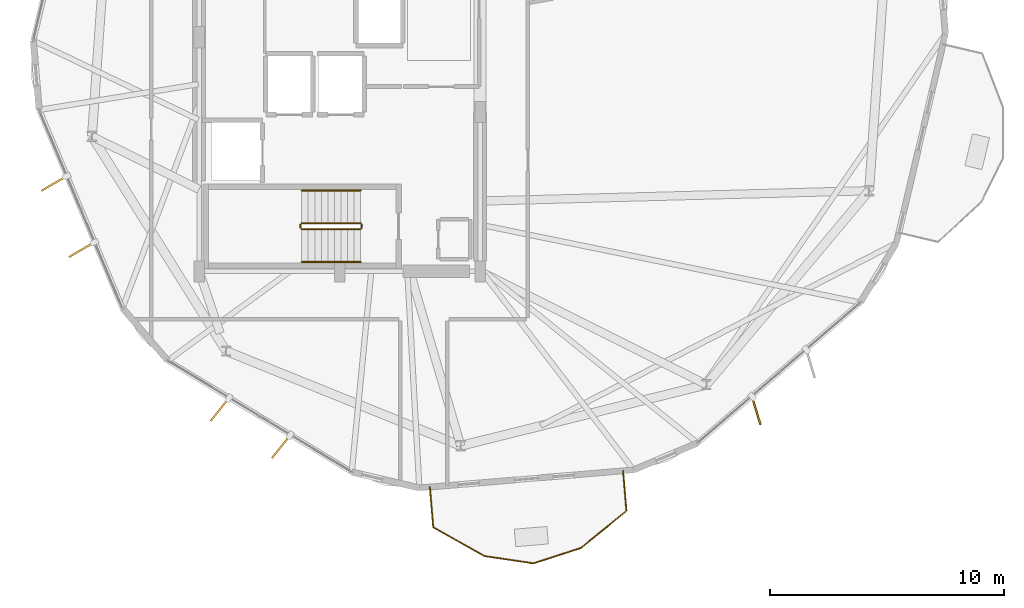
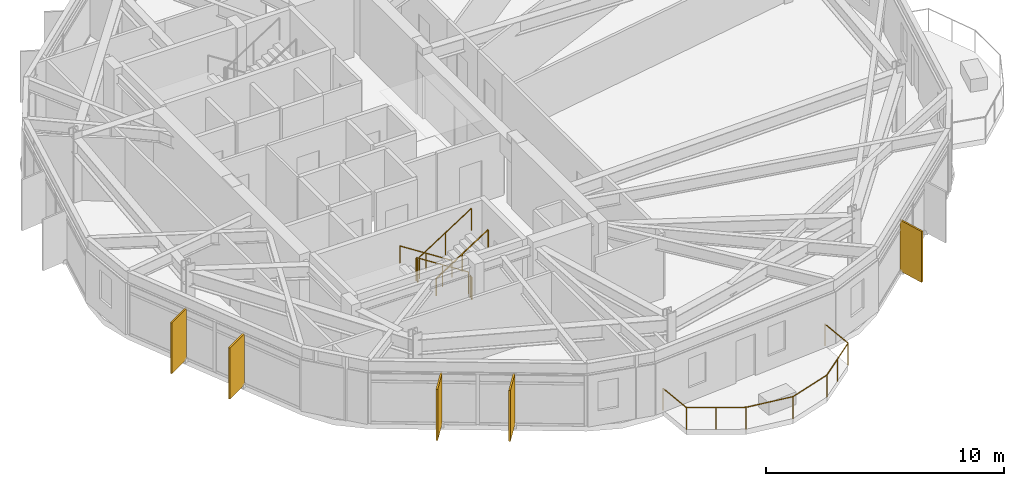
# One storey, part 25 of 27: 7 railings, 5 shading devices.
"""IFC4 building model written with IfcOpenShell, lengths in metres."""

from ifc_helpers import new_model, si_unit, direction, frame, origin, origin_2d, place, context, subcontext, project, spatial, rectangle, circle, extrude, material, layer, layer_set, type_object, element, save


model = new_model("IFC4")

# Units and contexts
model_context = context("Model", 3, precision=1e-05, world=origin(), true_north=direction((0.0, 1.0)))
body_context = subcontext(model_context, "Body", "Model", "MODEL_VIEW")
ifc_project = project(units=[si_unit("LENGTHUNIT", "METRE"), si_unit("AREAUNIT", "SQUARE_METRE"), si_unit("VOLUMEUNIT", "CUBIC_METRE"), si_unit("PLANEANGLEUNIT", "RADIAN"), si_unit("MASSUNIT", "GRAM", prefix="KILO")], contexts=[model_context])

# Site, building, storey
site_placement = place(None, origin())
site = spatial("IfcSite", under=ifc_project, at=site_placement, CompositionType="ELEMENT")
building_placement = place(site_placement, origin())
building = spatial("IfcBuilding", under=site, at=building_placement, Name="Soratama Intermodal Tower", CompositionType="ELEMENT")
storey_placement = place(building_placement, frame((0.0, 0.0, 182.199951171875)))
storey = spatial("IfcBuildingStorey", under=building, at=storey_placement, Name="L45", CompositionType="ELEMENT", Elevation=182.199951171875)

# Railings
ifc_material_1 = material(Name="Laminated glass and stainless steel balustrade", Category="steel")
railing_type_1 = type_object("IfcRailingType", Name="RL-BAL-1150", PredefinedType="BALUSTRADE", material=ifc_material_1)
railing_1_placement = place(storey_placement, frame((50.71435546875, 6.47412109375, 0.0)))
element("IfcRailing", 1, at=railing_1_placement, inside=storey, type_object=railing_type_1, Name="L45 Balcony Balustrade 3", PredefinedType="BALUSTRADE", context=body_context, shape_type="SweptSolid", body=[
    extrude(circle(Radius=0.02392578125, at=origin_2d()), frame((0.0, 0.0, 1.1259765625), z_axis=(0.083609356134, -0.99649860791, 0.0), x_axis=(0.99649860791, 0.083609356134, 0.0)), (0.0, 0.0, 1.0), 1.719970703125),
    extrude(circle(Radius=0.02392578125, at=origin_2d()), frame((0.143798828125, -1.7138671875, 1.1259765625), z_axis=(-0.775649512671, -0.631163872139, 0.0), x_axis=(0.631163872139, -0.775649512671, 0.0)), (0.0, 0.0, 1.0), 2.50927734375),
    extrude(circle(Radius=0.02392578125, at=origin_2d()), frame((-1.802490234375, -3.297607421875, 1.1259765625), z_axis=(-0.951221908995, -0.308507503713, 0.0), x_axis=(0.308507503713, -0.951221908995, 0.0)), (0.0, 0.0, 1.0), 2.1279296875),
    extrude(circle(Radius=0.02392578125, at=origin_2d()), frame((-3.82666015625, -3.9541015625, 1.1259765625), z_axis=(-0.989344071946, 0.145596384936, 0.0), x_axis=(-0.145596384936, -0.989344071946, 0.0)), (0.0, 0.0, 1.0), 2.1279296875),
    extrude(circle(Radius=0.02392578125, at=origin_2d()), frame((-5.931884765625, -3.644287109375, 1.1259765625), z_axis=(-0.870093121507, 0.492887370407, 0.0), x_axis=(-0.492887370407, -0.870093121507, 0.0)), (0.0, 0.0, 1.0), 2.50927734375),
    extrude(circle(Radius=0.02392578125, at=origin_2d()), frame((-8.115234375, -2.407470703125, 1.1259765625), z_axis=(-0.083750312677, 0.996486771175, 0.0), x_axis=(-0.996486771175, -0.083750312677, 0.0)), (0.0, 0.0, 1.0), 1.719970703125),
    extrude(circle(Radius=0.02099609375, at=origin_2d()), origin(), (0.0, 0.0, 1.0), 1.101806640625),
    extrude(circle(Radius=0.02099609375, at=origin_2d()), frame((0.143798828125, -1.7138671875, 0.0)), (0.0, 0.0, 1.0), 1.101806640625),
    extrude(circle(Radius=0.02099609375, at=origin_2d()), frame((-0.829345703125, -2.505859375, 0.0)), (0.0, 0.0, 1.0), 1.101806640625),
    extrude(circle(Radius=0.02099609375, at=origin_2d()), frame((-1.802490234375, -3.297607421875, 0.0)), (0.0, 0.0, 1.0), 1.101806640625),
    extrude(circle(Radius=0.02099609375, at=origin_2d()), frame((-3.82666015625, -3.9541015625, 0.0)), (0.0, 0.0, 1.0), 1.101806640625),
    extrude(circle(Radius=0.02099609375, at=origin_2d()), frame((-5.931884765625, -3.644287109375, 0.0)), (0.0, 0.0, 1.0), 1.101806640625),
    extrude(circle(Radius=0.02099609375, at=origin_2d()), frame((-7.0234375, -3.02587890625, 0.0)), (0.0, 0.0, 1.0), 1.101806640625),
    extrude(circle(Radius=0.02099609375, at=origin_2d()), frame((-8.115234375, -2.407470703125, 0.0)), (0.0, 0.0, 1.0), 1.101806640625),
    extrude(circle(Radius=0.02099609375, at=origin_2d()), frame((-8.25927734375, -0.693603515625, 0.0)), (0.0, 0.0, 1.0), 1.101806640625),
])
ifc_material_2 = material(Name="Painted steel stair guardrail", Category="steel")
railing_type_2 = type_object("IfcRailingType", Name="RL-STAIR-GUARD", PredefinedType="GUARDRAIL", material=ifc_material_2)
railing_2_placement = place(storey_placement, frame((39.5, 17.050048828125, 0.179931640625)))
element("IfcRailing", 2, at=railing_2_placement, inside=storey, type_object=railing_type_2, Name="L45 ST-1 stair guard 1", PredefinedType="GUARDRAIL", context=body_context, shape_type="SweptSolid", body=[
    extrude(circle(Radius=0.02392578125, at=origin_2d()), frame((0.0, 0.0, 1.1259765625), z_axis=(-0.841162588446, 0.0, 0.540782303519), x_axis=(0.0, -1.0, 0.0)), (0.0, 0.0, 1.0), 2.995849609375),
    extrude(circle(Radius=0.02099609375, at=origin_2d()), origin(), (0.0, 0.0, 1.0), 1.101806640625),
    extrude(circle(Radius=0.02099609375, at=origin_2d()), frame((-1.260009765625, 0.0, 0.81005859375)), (0.0, 0.0, 1.0), 1.101806640625),
    extrude(circle(Radius=0.02099609375, at=origin_2d()), frame((-2.52001953125, 0.0, 1.6201171875)), (0.0, 0.0, 1.0), 1.101806640625),
])
railing_3_placement = place(storey_placement, frame((36.929931640625, 17.0, 1.800048828125)))
element("IfcRailing", 3, at=railing_3_placement, inside=storey, type_object=railing_type_2, Name="L45 ST-1 stair guard 2", PredefinedType="GUARDRAIL", context=body_context, shape_type="SweptSolid", body=[
    extrude(circle(Radius=0.02392578125, at=origin_2d()), frame((0.0, 0.0, 1.1259765625), z_axis=(0.0, -1.0, 0.0), x_axis=(1.0, 0.0, 0.0)), (0.0, 0.0, 1.0), 0.14990234375),
    extrude(circle(Radius=0.02099609375, at=origin_2d()), origin(), (0.0, 0.0, 1.0), 1.101806640625),
    extrude(circle(Radius=0.02099609375, at=origin_2d()), frame((0.0, -0.14990234375, 0.0)), (0.0, 0.0, 1.0), 1.101806640625),
])
railing_4_placement = place(storey_placement, frame((36.97998046875, 16.800048828125, 1.97998046875)))
element("IfcRailing", 4, at=railing_4_placement, inside=storey, type_object=railing_type_2, Name="L45 ST-1 stair guard 3", PredefinedType="GUARDRAIL", context=body_context, shape_type="SweptSolid", body=[
    extrude(circle(Radius=0.02392578125, at=origin_2d()), frame((0.0, 0.0, 1.1259765625), z_axis=(0.841162588446, 0.0, 0.540782303519), x_axis=(0.0, 1.0, 0.0)), (0.0, 0.0, 1.0), 2.995849609375),
    extrude(circle(Radius=0.02099609375, at=origin_2d()), origin(), (0.0, 0.0, 1.0), 1.101806640625),
    extrude(circle(Radius=0.02099609375, at=origin_2d()), frame((1.260009765625, 0.0, 0.81005859375)), (0.0, 0.0, 1.0), 1.101806640625),
    extrude(circle(Radius=0.02099609375, at=origin_2d()), frame((2.52001953125, 0.0, 1.6201171875)), (0.0, 0.0, 1.0), 1.101806640625),
])
railing_5_placement = place(storey_placement, frame((39.550048828125, 17.0, 0.0)))
element("IfcRailing", 5, at=railing_5_placement, inside=storey, type_object=railing_type_2, Name="L45 ST-1 stair guard 4", PredefinedType="GUARDRAIL", context=body_context, shape_type="SweptSolid", body=[
    extrude(circle(Radius=0.02392578125, at=origin_2d()), frame((0.0, 0.0, 1.1259765625), z_axis=(0.0, -1.0, 0.0), x_axis=(1.0, 0.0, 0.0)), (0.0, 0.0, 1.0), 0.14990234375),
    extrude(circle(Radius=0.02099609375, at=origin_2d()), origin(), (0.0, 0.0, 1.0), 1.101806640625),
    extrude(circle(Radius=0.02099609375, at=origin_2d()), frame((0.0, -0.14990234375, 0.0)), (0.0, 0.0, 1.0), 1.101806640625),
])
ifc_material_3 = material(Name="Brushed stainless steel handrail", Category="steel")
railing_type_3 = type_object("IfcRailingType", Name="RL-STAIR-HAND", PredefinedType="HANDRAIL", material=ifc_material_3)
railing_6_placement = place(storey_placement, frame((39.5, 18.449951171875, 0.179931640625)))
element("IfcRailing", 6, at=railing_6_placement, inside=storey, type_object=railing_type_3, Name="L45 ST-1 stair handrail 1", PredefinedType="HANDRAIL", context=body_context, shape_type="SweptSolid", body=[
    extrude(circle(Radius=0.02392578125, at=origin_2d()), frame((0.0, 0.0, 0.8759765625), z_axis=(-0.841162588446, 0.0, 0.540782303519), x_axis=(0.0, -1.0, 0.0)), (0.0, 0.0, 1.0), 2.995849609375),
    extrude(circle(Radius=0.02099609375, at=origin_2d()), origin(), (0.0, 0.0, 1.0), 0.851806640625),
    extrude(circle(Radius=0.02099609375, at=origin_2d()), frame((-1.260009765625, 0.0, 0.81005859375)), (0.0, 0.0, 1.0), 0.851806640625),
    extrude(circle(Radius=0.02099609375, at=origin_2d()), frame((-2.52001953125, 0.0, 1.6201171875)), (0.0, 0.0, 1.0), 0.851806640625),
])
railing_7_placement = place(storey_placement, frame((36.97998046875, 15.39990234375, 1.97998046875)))
element("IfcRailing", 7, at=railing_7_placement, inside=storey, type_object=railing_type_3, Name="L45 ST-1 stair handrail 2", PredefinedType="HANDRAIL", context=body_context, shape_type="SweptSolid", body=[
    extrude(circle(Radius=0.02392578125, at=origin_2d()), frame((0.0, 0.0, 0.8759765625), z_axis=(0.841162588446, 0.0, 0.540782303519), x_axis=(0.0, 1.0, 0.0)), (0.0, 0.0, 1.0), 2.995849609375),
    extrude(circle(Radius=0.02099609375, at=origin_2d()), origin(), (0.0, 0.0, 1.0), 0.851806640625),
    extrude(circle(Radius=0.02099609375, at=origin_2d()), frame((1.260009765625, 0.0, 0.81005859375)), (0.0, 0.0, 1.0), 0.851806640625),
    extrude(circle(Radius=0.02099609375, at=origin_2d()), frame((2.52001953125, 0.0, 1.6201171875)), (0.0, 0.0, 1.0), 0.851806640625),
])

# Shading devices
ifc_material_4 = material(Name="Champagne anodised aluminium solar fin", Category="aluminium")
ifc_layer = layer(ifc_material_4, 0.080078125)
ifc_layer_set = layer_set([ifc_layer], Name="Champagne anodised aluminium solar fin")
shading_device_type = type_object("IfcShadingDeviceType", Name="SH-FIN-1250", PredefinedType="USERDEFINED", material=ifc_layer_set)
for number, where, z_axis, x_axis, name in (
    (8, (26.389892578125, 18.747802734375, 0.02001953125), (0.0, 0.0, 1.0), (-0.864099162217, -0.503321604797, 0.0), "L45 Solar Fin F05-1"),
    (9, (27.576904296875, 15.924560546875, 0.02001953125), (0.0, 0.0, 1.0), (-0.864099162217, -0.503321604797, 0.0), "L45 Solar Fin F05-2"),
    (10, (33.476806640625, 9.089599609375, 0.02001953125), (0.0, 0.0, 1.0), (-0.624152360803, -0.781302649748, 0.0), "L45 Solar Fin F06-1"),
    (11, (36.096435546875, 7.5029296875, 0.02001953125), (0.0, 0.0, 1.0), (-0.624152360803, -0.781302649748, 0.0), "L45 Solar Fin F06-2"),
    (12, (56.40234375, 9.045166015625, 0.02001953125), (0.0, 0.0, 1.0), (0.289031796944, -0.957319497532, 0.0), "L45 Solar Fin F08-1"),
):
    element("IfcShadingDevice", number, at=place(storey_placement, frame(where, z_axis=z_axis, x_axis=x_axis)), inside=storey, type_object=shading_device_type, Name=name, ObjectType="FIN", PredefinedType="USERDEFINED", context=body_context, shape_type="SweptSolid", body=[
        extrude(rectangle(XDim=1.25, YDim=0.080078125, at=origin_2d()), origin(), (0.0, 0.0, 1.0), 2.618896484375),
    ])

save(model, "model.ifc")
